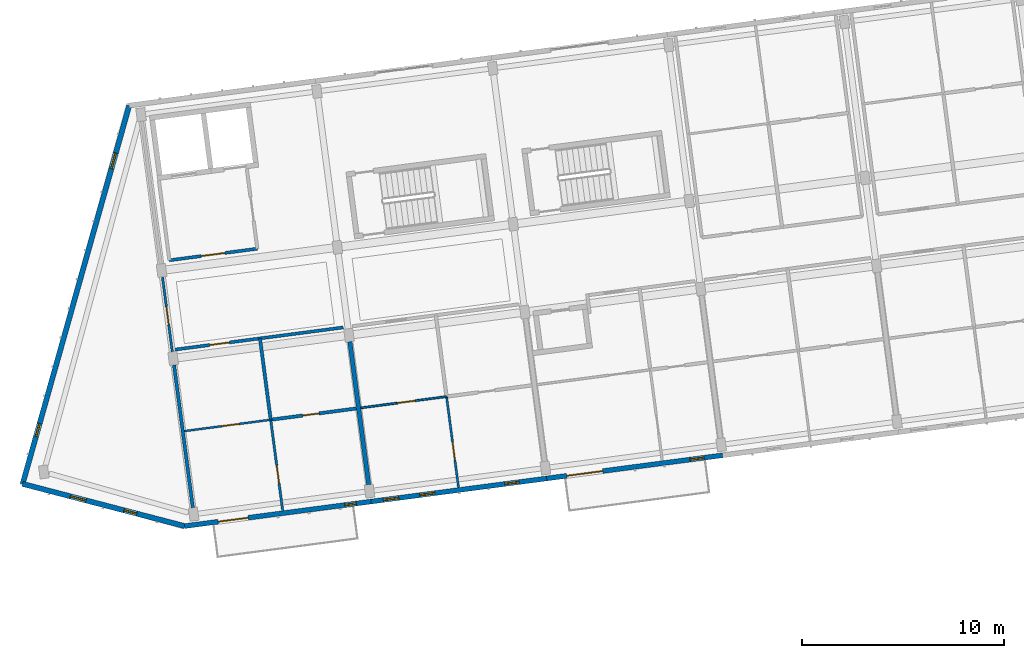
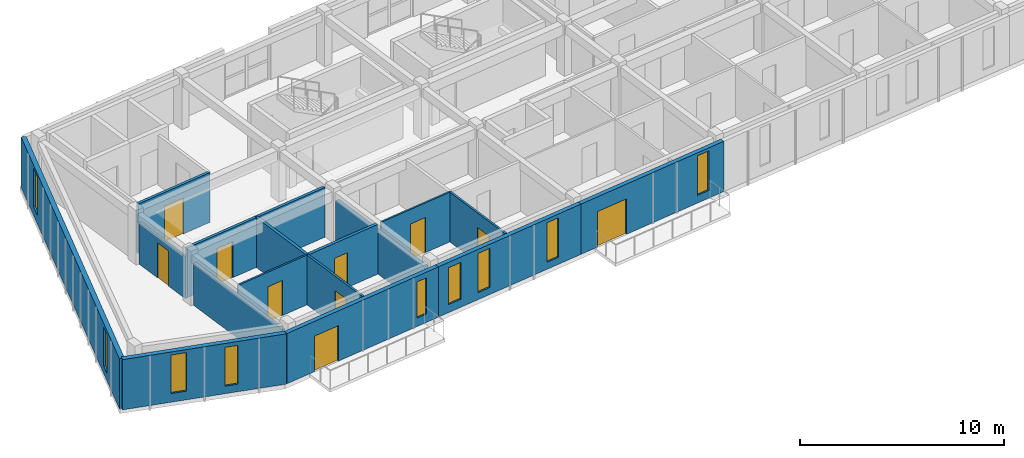
# One storey, part 20 of 56: 16 walls, 10 doors, 9 windows, 19 openings.
"""IFC4 building model written with IfcOpenShell, lengths in metres."""

from ifc_helpers import new_model, si_unit, direction, frame, frame_2d, origin, place, context, subcontext, project, spatial, rectangle, extrude, material, layer, layer_set, type_object, element, fill, save


model = new_model("IFC4")

# Units and contexts
model_context = context("Model", 3, precision=1e-05, world=origin(), true_north=direction((0.0, 1.0)))
body_context = subcontext(model_context, "Body", "Model", "MODEL_VIEW")
ifc_project = project(units=[si_unit("LENGTHUNIT", "METRE"), si_unit("AREAUNIT", "SQUARE_METRE"), si_unit("VOLUMEUNIT", "CUBIC_METRE"), si_unit("PLANEANGLEUNIT", "RADIAN"), si_unit("MASSUNIT", "GRAM", prefix="KILO")], contexts=[model_context])

# Site, building, storey
site_placement = place(None, origin())
site = spatial("IfcSite", under=ifc_project, at=site_placement, CompositionType="ELEMENT")
building_placement = place(site_placement, origin())
building = spatial("IfcBuilding", under=site, at=building_placement, Name="Kestramere Prow Commons", CompositionType="ELEMENT")
storey_placement = place(building_placement, frame((0.0, 0.0, 27.89990234375)))
storey = spatial("IfcBuildingStorey", under=building, at=storey_placement, Name="L08", CompositionType="ELEMENT", Elevation=27.89990234375)

# Wall, openings, windows
ifc_material_1 = material(Name="Weathered Zinc-Titanium Standing-Seam Cladding")
ifc_layer_1 = layer(ifc_material_1, 0.260009765625)
ifc_layer_set_1 = layer_set([ifc_layer_1], Name="Weathered Zinc-Titanium Standing-Seam Cladding")
wall_type_1 = type_object("IfcWallType", Name="EW-PROW-260", PredefinedType="SOLIDWALL", material=ifc_layer_set_1)
wall_1_placement = place(storey_placement, frame((10.748046875, 71.410888671875, 0.0), z_axis=(0.0, 0.0, 1.0), x_axis=(-0.967694955113, 0.252123925577, 0.0)))
wall_1 = element("IfcWall", 1, at=wall_1_placement, inside=storey, type_object=wall_type_1, Name="Block A L08 PRW-S Facet Wall", PredefinedType="SOLIDWALL", context=body_context, shape_type="SweptSolid", body=[
    extrude(rectangle(XDim=8.305419921875, YDim=0.260009765625, at=frame_2d((4.15283203125, 0.0))), origin(), (0.0, 0.0, 1.0), 3.0),
])
opening_1_placement = place(wall_1_placement, frame((2.449951171875, 0.0, 0.449951171875)))
opening_1 = element("IfcOpeningElement", 2, at=opening_1_placement, cuts=wall_1, Name="Opening WN-05", PredefinedType="OPENING", context=body_context, shape_type="SweptSolid", body=[
    extrude(rectangle(XDim=0.659912109375, YDim=2.320068359375, at=frame_2d((0.330078125, 1.16015625))), frame((0.0, 0.14501953125, 0.0), z_axis=(0.0, -1.0, 0.0), x_axis=(1.0, 0.0, 0.0)), (0.0, 0.0, 1.0), 0.2900390625),
])
opening_2_placement = place(wall_1_placement, frame((5.055419921875, 0.0, 0.52001953125)))
opening_2 = element("IfcOpeningElement", 3, at=opening_2_placement, cuts=wall_1, Name="Opening WN-12", PredefinedType="OPENING", context=body_context, shape_type="SweptSolid", body=[
    extrude(rectangle(XDim=0.800048828125, YDim=2.300048828125, at=frame_2d((0.39990234375, 1.14990234375))), frame((0.0, 0.14501953125, 0.0), z_axis=(0.0, -1.0, 0.0), x_axis=(1.0, 0.0, 0.0)), (0.0, 0.0, 1.0), 0.2900390625),
])
ifc_material_2 = material(Name="Low-E Laminated Double Glazing", Category="glass")
window_type_1 = type_object("IfcWindowType", Name="WN-NAR-660A", PartitioningType="SINGLE_PANEL", PredefinedType="WINDOW", material=ifc_material_2)
window_1_placement = place(opening_1_placement, origin())
window_1 = element("IfcWindow", 4, at=window_1_placement, inside=storey, type_object=window_type_1, Name="WN-A-L08-PRW-S-0", OverallHeight=2.320068359375, OverallWidth=0.659912109375, PartitioningType="SINGLE_PANEL", PredefinedType="WINDOW", context=body_context, shape_type="SweptSolid", body=[
    extrude(rectangle(XDim=0.659912109375, YDim=2.320068359375, at=frame_2d((0.330078125, 1.16015625))), frame((0.0, 0.030029296875, 0.0), z_axis=(0.0, -1.0, 0.0), x_axis=(1.0, 0.0, 0.0)), (0.0, 0.0, 1.0), 0.06005859375),
])
fill(opening_1, window_1)
window_type_2 = type_object("IfcWindowType", Name="WN-NAR-800A", PartitioningType="SINGLE_PANEL", PredefinedType="WINDOW", material=ifc_material_2)
window_2_placement = place(opening_2_placement, origin())
window_2 = element("IfcWindow", 5, at=window_2_placement, inside=storey, type_object=window_type_2, Name="WN-A-L08-PRW-S-1", OverallHeight=2.300048828125, OverallWidth=0.800048828125, PartitioningType="SINGLE_PANEL", PredefinedType="WINDOW", context=body_context, shape_type="SweptSolid", body=[
    extrude(rectangle(XDim=0.800048828125, YDim=2.300048828125, at=frame_2d((0.39990234375, 1.14990234375))), frame((0.0, 0.030029296875, 0.0), z_axis=(0.0, -1.0, 0.0), x_axis=(1.0, 0.0, 0.0)), (0.0, 0.0, 1.0), 0.06005859375),
])
fill(opening_2, window_2)

wall_2_placement = place(storey_placement, frame((2.7109375, 73.5048828125, 0.0), z_axis=(0.0, 0.0, 1.0), x_axis=(0.271165263368, 0.962532804606, 0.0)))
wall_2 = element("IfcWall", 6, at=wall_2_placement, inside=storey, type_object=wall_type_1, Name="Block A L08 PRW-N Facet Wall", PredefinedType="SOLIDWALL", context=body_context, shape_type="SweptSolid", body=[
    extrude(rectangle(XDim=19.5068359375, YDim=0.260009765625, at=frame_2d((9.75341796875, 0.0))), origin(), (0.0, 0.0, 1.0), 3.0),
])
opening_3_placement = place(wall_2_placement, frame((2.449951171875, 0.0, 0.449951171875)))
opening_3 = element("IfcOpeningElement", 7, at=opening_3_placement, cuts=wall_2, Name="Opening WN-05", PredefinedType="OPENING", context=body_context, shape_type="SweptSolid", body=[
    extrude(rectangle(XDim=0.659912109375, YDim=2.320068359375, at=frame_2d((0.330078125, 1.16015625))), frame((0.0, 0.14501953125, 0.0), z_axis=(0.0, -1.0, 0.0), x_axis=(1.0, 0.0, 0.0)), (0.0, 0.0, 1.0), 0.2900390625),
])
opening_4_placement = place(wall_2_placement, frame((16.2568359375, 0.0, 0.52001953125)))
opening_4 = element("IfcOpeningElement", 8, at=opening_4_placement, cuts=wall_2, Name="Opening WN-12", PredefinedType="OPENING", context=body_context, shape_type="SweptSolid", body=[
    extrude(rectangle(XDim=0.800048828125, YDim=2.300048828125, at=frame_2d((0.39990234375, 1.14990234375))), frame((0.0, 0.14501953125, 0.0), z_axis=(0.0, -1.0, 0.0), x_axis=(1.0, 0.0, 0.0)), (0.0, 0.0, 1.0), 0.2900390625),
])
window_3_placement = place(opening_3_placement, origin())
window_3 = element("IfcWindow", 9, at=window_3_placement, inside=storey, type_object=window_type_1, Name="WN-A-L08-PRW-N-0", OverallHeight=2.320068359375, OverallWidth=0.659912109375, PartitioningType="SINGLE_PANEL", PredefinedType="WINDOW", context=body_context, shape_type="SweptSolid", body=[
    extrude(rectangle(XDim=0.659912109375, YDim=2.320068359375, at=frame_2d((0.330078125, 1.16015625))), frame((0.0, 0.030029296875, 0.0), z_axis=(0.0, -1.0, 0.0), x_axis=(1.0, 0.0, 0.0)), (0.0, 0.0, 1.0), 0.06005859375),
])
fill(opening_3, window_3)
window_4_placement = place(opening_4_placement, origin())
window_4 = element("IfcWindow", 10, at=window_4_placement, inside=storey, type_object=window_type_2, Name="WN-A-L08-PRW-N-1", OverallHeight=2.300048828125, OverallWidth=0.800048828125, PartitioningType="SINGLE_PANEL", PredefinedType="WINDOW", context=body_context, shape_type="SweptSolid", body=[
    extrude(rectangle(XDim=0.800048828125, YDim=2.300048828125, at=frame_2d((0.39990234375, 1.14990234375))), frame((0.0, 0.030029296875, 0.0), z_axis=(0.0, -1.0, 0.0), x_axis=(1.0, 0.0, 0.0)), (0.0, 0.0, 1.0), 0.06005859375),
])
fill(opening_4, window_4)

# Wall, openings, door, window
ifc_material_3 = material(Name="Fluoropolymer Standing-Seam Zinc-Aluminium Cladding", Category="aluminium")
ifc_layer_2 = layer(ifc_material_3, 0.239990234375)
ifc_layer_set_2 = layer_set([ifc_layer_2], Name="Fluoropolymer Standing-Seam Zinc-Aluminium Cladding")
wall_type_2 = type_object("IfcWallType", Name="EW-SEAM-240", PredefinedType="SOLIDWALL", material=ifc_layer_set_2)
wall_3_placement = place(storey_placement, frame((19.9931640625, 72.628173828125, 0.0), z_axis=(0.0, 0.0, 1.0), x_axis=(-0.991442885224, -0.130541201693, 0.0)))
wall_3 = element("IfcWall", 11, at=wall_3_placement, inside=storey, type_object=wall_type_2, Name="Block A L08 South Standing-Seam Wall 1", PredefinedType="SOLIDWALL", context=body_context, shape_type="SweptSolid", body=[
    extrude(rectangle(XDim=9.324951171875, YDim=0.239990234375, at=frame_2d((4.66259765625, 0.0))), origin(), (0.0, 0.0, 1.0), 3.0),
])
opening_5_placement = place(wall_3_placement, frame((6.14697265625, 0.0, 0.0)))
opening_5 = element("IfcOpeningElement", 12, at=opening_5_placement, cuts=wall_3, Name="Opening GD-BAL-01", PredefinedType="OPENING", context=body_context, shape_type="SweptSolid", body=[
    extrude(rectangle(XDim=1.5, YDim=2.1201171875, at=frame_2d((0.75, 1.06005859375))), frame((0.0, 0.135009765625, 0.0), z_axis=(0.0, -1.0, 0.0), x_axis=(1.0, 0.0, 0.0)), (0.0, 0.0, 1.0), 0.27001953125),
])
opening_6_placement = place(wall_3_placement, frame((0.72998046875, 0.0, 0.5)))
opening_6 = element("IfcOpeningElement", 13, at=opening_6_placement, cuts=wall_3, Name="Opening WN-01", PredefinedType="OPENING", context=body_context, shape_type="SweptSolid", body=[
    extrude(rectangle(XDim=0.580078125, YDim=2.159912109375, at=frame_2d((0.2900390625, 1.080078125))), frame((0.0, 0.135009765625, 0.0), z_axis=(0.0, -1.0, 0.0), x_axis=(1.0, 0.0, 0.0)), (0.0, 0.0, 1.0), 0.27001953125),
])
ifc_material_4 = material(Name="Thermally-Broken Anodised Aluminium Glazed", Category="aluminium")
door_type_1 = type_object("IfcDoorType", Name="GD-BAL-1500", OperationType="SLIDING_TO_RIGHT", PredefinedType="DOOR", material=ifc_material_4)
door_1_placement = place(opening_5_placement, origin())
door_1 = element("IfcDoor", 14, at=door_1_placement, inside=storey, type_object=door_type_1, Name="Block A L08 Balcony Door 1", OperationType="SLIDING_TO_RIGHT", OverallHeight=2.1201171875, OverallWidth=1.5, PredefinedType="DOOR", context=body_context, shape_type="SweptSolid", body=[
    extrude(rectangle(XDim=1.5, YDim=2.1201171875, at=frame_2d((0.75, 1.06005859375))), frame((0.0, 0.02490234375, 0.0), z_axis=(0.0, -1.0, 0.0), x_axis=(1.0, 0.0, 0.0)), (0.0, 0.0, 1.0), 0.050048828125),
])
fill(opening_5, door_1)
window_type_3 = type_object("IfcWindowType", Name="WN-NAR-580A", PartitioningType="SINGLE_PANEL", PredefinedType="WINDOW", material=ifc_material_2)
window_5_placement = place(opening_6_placement, origin())
window_5 = element("IfcWindow", 15, at=window_5_placement, inside=storey, type_object=window_type_3, Name="WN-A-L08-SR-0", OverallHeight=2.159912109375, OverallWidth=0.580078125, PartitioningType="SINGLE_PANEL", PredefinedType="WINDOW", context=body_context, shape_type="SweptSolid", body=[
    extrude(rectangle(XDim=0.580078125, YDim=2.159912109375, at=frame_2d((0.2900390625, 1.080078125))), frame((0.0, 0.030029296875, 0.0), z_axis=(0.0, -1.0, 0.0), x_axis=(1.0, 0.0, 0.0)), (0.0, 0.0, 1.0), 0.06005859375),
])
fill(opening_6, window_5)

# Wall, openings, windows
wall_4_placement = place(storey_placement, frame((28.718017578125, 73.77685546875, 0.0), z_axis=(0.0, 0.0, 1.0), x_axis=(-0.991444377792, -0.130529865336, 0.0)))
wall_4 = element("IfcWall", 16, at=wall_4_placement, inside=storey, type_object=wall_type_2, Name="Block A L08 South Standing-Seam Wall 2", PredefinedType="SOLIDWALL", context=body_context, shape_type="SweptSolid", body=[
    extrude(rectangle(XDim=8.800048828125, YDim=0.239990234375, at=frame_2d((4.39990234375, 0.0))), origin(), (0.0, 0.0, 1.0), 3.0),
])
opening_7_placement = place(wall_4_placement, frame((1.392578125, 0.0, 0.419921875)))
opening_7 = element("IfcOpeningElement", 17, at=opening_7_placement, cuts=wall_4, Name="Opening WN-07", PredefinedType="OPENING", context=body_context, shape_type="SweptSolid", body=[
    extrude(rectangle(XDim=0.699951171875, YDim=2.360107421875, at=frame_2d((0.35009765625, 1.18017578125))), frame((0.0, 0.135009765625, 0.0), z_axis=(0.0, -1.0, 0.0), x_axis=(1.0, 0.0, 0.0)), (0.0, 0.0, 1.0), 0.27001953125),
])
opening_8_placement = place(wall_4_placement, frame((5.60400390625, 0.0, 0.419921875)))
opening_8 = element("IfcOpeningElement", 18, at=opening_8_placement, cuts=wall_4, Name="Opening WN-10", PredefinedType="OPENING", context=body_context, shape_type="SweptSolid", body=[
    extrude(rectangle(XDim=0.760009765625, YDim=2.340087890625, at=frame_2d((0.3798828125, 1.169921875))), frame((0.0, 0.135009765625, 0.0), z_axis=(0.0, -1.0, 0.0), x_axis=(1.0, 0.0, 0.0)), (0.0, 0.0, 1.0), 0.27001953125),
])
opening_9_placement = place(wall_4_placement, frame((7.409912109375, 0.0, 0.47998046875)))
opening_9 = element("IfcOpeningElement", 19, at=opening_9_placement, cuts=wall_4, Name="Opening WN-11", PredefinedType="OPENING", context=body_context, shape_type="SweptSolid", body=[
    extrude(rectangle(XDim=0.780029296875, YDim=2.199951171875, at=frame_2d((0.39013671875, 1.10009765625))), frame((0.0, 0.135009765625, 0.0), z_axis=(0.0, -1.0, 0.0), x_axis=(1.0, 0.0, 0.0)), (0.0, 0.0, 1.0), 0.27001953125),
])
window_type_4 = type_object("IfcWindowType", Name="WN-NAR-700A", PartitioningType="SINGLE_PANEL", PredefinedType="WINDOW", material=ifc_material_2)
window_6_placement = place(opening_7_placement, origin())
window_6 = element("IfcWindow", 20, at=window_6_placement, inside=storey, type_object=window_type_4, Name="WN-A-L08-S-1-00", OverallHeight=2.360107421875, OverallWidth=0.699951171875, PartitioningType="SINGLE_PANEL", PredefinedType="WINDOW", context=body_context, shape_type="SweptSolid", body=[
    extrude(rectangle(XDim=0.699951171875, YDim=2.360107421875, at=frame_2d((0.35009765625, 1.18017578125))), frame((0.0, 0.030029296875, 0.0), z_axis=(0.0, -1.0, 0.0), x_axis=(1.0, 0.0, 0.0)), (0.0, 0.0, 1.0), 0.06005859375),
])
fill(opening_7, window_6)
window_type_5 = type_object("IfcWindowType", Name="WN-NAR-760A", PartitioningType="SINGLE_PANEL", PredefinedType="WINDOW", material=ifc_material_2)
window_7_placement = place(opening_8_placement, origin())
window_7 = element("IfcWindow", 21, at=window_7_placement, inside=storey, type_object=window_type_5, Name="WN-A-L08-S-1-10", OverallHeight=2.340087890625, OverallWidth=0.760009765625, PartitioningType="SINGLE_PANEL", PredefinedType="WINDOW", context=body_context, shape_type="SweptSolid", body=[
    extrude(rectangle(XDim=0.760009765625, YDim=2.340087890625, at=frame_2d((0.3798828125, 1.169921875))), frame((0.0, 0.030029296875, 0.0), z_axis=(0.0, -1.0, 0.0), x_axis=(1.0, 0.0, 0.0)), (0.0, 0.0, 1.0), 0.06005859375),
])
fill(opening_8, window_7)
window_type_6 = type_object("IfcWindowType", Name="WN-NAR-780A", PartitioningType="SINGLE_PANEL", PredefinedType="WINDOW", material=ifc_material_2)
window_8_placement = place(opening_9_placement, origin())
window_8 = element("IfcWindow", 22, at=window_8_placement, inside=storey, type_object=window_type_6, Name="WN-A-L08-S-1-11", OverallHeight=2.199951171875, OverallWidth=0.780029296875, PartitioningType="SINGLE_PANEL", PredefinedType="WINDOW", context=body_context, shape_type="SweptSolid", body=[
    extrude(rectangle(XDim=0.780029296875, YDim=2.199951171875, at=frame_2d((0.39013671875, 1.10009765625))), frame((0.0, 0.030029296875, 0.0), z_axis=(0.0, -1.0, 0.0), x_axis=(1.0, 0.0, 0.0)), (0.0, 0.0, 1.0), 0.06005859375),
])
fill(opening_9, window_8)

# Wall, openings, door, window
wall_5_placement = place(storey_placement, frame((37.442626953125, 74.92529296875, 0.0), z_axis=(0.0, 0.0, 1.0), x_axis=(-0.991447495205, -0.130506184728, 0.0)))
wall_5 = element("IfcWall", 23, at=wall_5_placement, inside=storey, type_object=wall_type_2, Name="Block A L08 South Standing-Seam Wall 3", PredefinedType="SOLIDWALL", context=body_context, shape_type="SweptSolid", body=[
    extrude(rectangle(XDim=8.7998046875, YDim=0.239990234375, at=frame_2d((4.39990234375, 0.0))), origin(), (0.0, 0.0, 1.0), 3.0),
])
opening_10_placement = place(wall_5_placement, frame((5.9970703125, 0.0, 0.0)))
opening_10 = element("IfcOpeningElement", 24, at=opening_10_placement, cuts=wall_5, Name="Opening GD-BAL-02", PredefinedType="OPENING", context=body_context, shape_type="SweptSolid", body=[
    extrude(rectangle(XDim=1.800048828125, YDim=2.1201171875, at=frame_2d((0.89990234375, 1.06005859375))), frame((0.0, 0.135009765625, 0.0), z_axis=(0.0, -1.0, 0.0), x_axis=(1.0, 0.0, 0.0)), (0.0, 0.0, 1.0), 0.27001953125),
])
opening_11_placement = place(wall_5_placement, frame((0.929931640625, 0.0, 0.4599609375)))
opening_11 = element("IfcOpeningElement", 25, at=opening_11_placement, cuts=wall_5, Name="Opening WN-07", PredefinedType="OPENING", context=body_context, shape_type="SweptSolid", body=[
    extrude(rectangle(XDim=0.699951171875, YDim=2.360107421875, at=frame_2d((0.35009765625, 1.18017578125))), frame((0.0, 0.135009765625, 0.0), z_axis=(0.0, -1.0, 0.0), x_axis=(1.0, 0.0, 0.0)), (0.0, 0.0, 1.0), 0.27001953125),
])
door_type_2 = type_object("IfcDoorType", Name="GD-BAL-1800", OperationType="SLIDING_TO_LEFT", PredefinedType="DOOR", material=ifc_material_4)
door_2_placement = place(opening_10_placement, origin())
door_2 = element("IfcDoor", 26, at=door_2_placement, inside=storey, type_object=door_type_2, Name="Block A L08 Balcony Door 3", OperationType="SLIDING_TO_LEFT", OverallHeight=2.1201171875, OverallWidth=1.800048828125, PredefinedType="DOOR", context=body_context, shape_type="SweptSolid", body=[
    extrude(rectangle(XDim=1.800048828125, YDim=2.1201171875, at=frame_2d((0.89990234375, 1.06005859375))), frame((0.0, 0.02490234375, 0.0), z_axis=(0.0, -1.0, 0.0), x_axis=(1.0, 0.0, 0.0)), (0.0, 0.0, 1.0), 0.050048828125),
])
fill(opening_10, door_2)
window_9_placement = place(opening_11_placement, origin())
window_9 = element("IfcWindow", 27, at=window_9_placement, inside=storey, type_object=window_type_4, Name="WN-A-L08-SR-2", OverallHeight=2.360107421875, OverallWidth=0.699951171875, PartitioningType="SINGLE_PANEL", PredefinedType="WINDOW", context=body_context, shape_type="SweptSolid", body=[
    extrude(rectangle(XDim=0.699951171875, YDim=2.360107421875, at=frame_2d((0.35009765625, 1.18017578125))), frame((0.0, 0.030029296875, 0.0), z_axis=(0.0, -1.0, 0.0), x_axis=(1.0, 0.0, 0.0)), (0.0, 0.0, 1.0), 0.06005859375),
])
fill(opening_11, window_9)

# Wall, opening, door
ifc_material_5 = material(Name="Fire-Rated Calcium Silicate Wall")
ifc_layer_3 = layer(ifc_material_5, 0.155029296875)
ifc_layer_set_3 = layer_set([ifc_layer_3], Name="Fire-Rated Calcium Silicate Wall")
wall_type_3 = type_object("IfcWallType", Name="W-FIRE-150", PredefinedType="PARTITIONING", material=ifc_layer_set_3)
wall_6_placement = place(storey_placement, frame((9.994873046875, 84.6005859375, 0.0), z_axis=(0.0, 0.0, 1.0), x_axis=(0.991448440179, 0.130499005613, 0.0)))
wall_6 = element("IfcWall", 28, at=wall_6_placement, inside=storey, type_object=wall_type_3, Name="Interior Partition PW-A-L08-FFL-S", PredefinedType="PARTITIONING", context=body_context, shape_type="SweptSolid", body=[
    extrude(rectangle(XDim=4.400146484375, YDim=0.155029296875, at=frame_2d((2.2001953125, 0.0))), origin(), (0.0, 0.0, 1.0), 2.97021484375),
])
opening_12_placement = place(wall_6_placement, frame((1.60009765625, 0.0, 0.0)))
opening_12 = element("IfcOpeningElement", 29, at=opening_12_placement, cuts=wall_6, Name="Opening ID-03", PredefinedType="OPENING", context=body_context, shape_type="SweptSolid", body=[
    extrude(rectangle(XDim=1.179931640625, YDim=2.14990234375, at=frame_2d((0.58984375, 1.074951171875))), frame((0.0, 0.092529296875, 0.0), z_axis=(0.0, -1.0, 0.0), x_axis=(1.0, 0.0, 0.0)), (0.0, 0.0, 1.0), 0.18505859375),
])
ifc_material_6 = material(Name="Fire-Rated Glazed Smoke-Stop Door")
door_type_3 = type_object("IfcDoorType", Name="FD-LB-01", OperationType="NOTDEFINED", PredefinedType="DOOR", material=ifc_material_6)
door_3_placement = place(opening_12_placement, origin())
door_3 = element("IfcDoor", 30, at=door_3_placement, inside=storey, type_object=door_type_3, Name="Interior Door DR-A-L08-FFL", OperationType="SINGLE_SWING_LEFT", OverallHeight=2.14990234375, OverallWidth=1.179931640625, PredefinedType="DOOR", context=body_context, shape_type="SweptSolid", body=[
    extrude(rectangle(XDim=1.179931640625, YDim=2.14990234375, at=frame_2d((0.58984375, 1.074951171875))), frame((0.0, 0.02490234375, 0.0), z_axis=(0.0, -1.0, 0.0), x_axis=(1.0, 0.0, 0.0)), (0.0, 0.0, 1.0), 0.050048828125),
])
fill(opening_12, door_3)

wall_7_placement = place(storey_placement, frame((10.196533203125, 80.158935546875, 0.0), z_axis=(0.0, 0.0, 1.0), x_axis=(0.991447642549, 0.130505065361, 0.0)))
wall_7 = element("IfcWall", 31, at=wall_7_placement, inside=storey, type_object=wall_type_3, Name="Interior Partition PW-A-L08-CS-0", PredefinedType="PARTITIONING", context=body_context, shape_type="SweptSolid", body=[
    extrude(rectangle(XDim=8.4951171875, YDim=0.155029296875, at=frame_2d((4.24755859375, 0.0))), origin(), (0.0, 0.0, 1.0), 2.97021484375),
])
opening_13_placement = place(wall_7_placement, frame((1.820068359375, 0.0, 0.0)))
opening_13 = element("IfcOpeningElement", 32, at=opening_13_placement, cuts=wall_7, Name="Opening ID-04", PredefinedType="OPENING", context=body_context, shape_type="SweptSolid", body=[
    extrude(rectangle(XDim=0.97998046875, YDim=2.14990234375, at=frame_2d((0.489990234375, 1.074951171875))), frame((0.0, 0.092529296875, 0.0), z_axis=(0.0, -1.0, 0.0), x_axis=(1.0, 0.0, 0.0)), (0.0, 0.0, 1.0), 0.18505859375),
])
ifc_material_7 = material(Name="Hardwood Fire-Rated Flat Entrance Door", Category="wood")
door_type_4 = type_object("IfcDoorType", Name="FD-ENT-01", OperationType="NOTDEFINED", PredefinedType="DOOR", material=ifc_material_7)
door_4_placement = place(opening_13_placement, origin())
door_4 = element("IfcDoor", 33, at=door_4_placement, inside=storey, type_object=door_type_4, Name="Interior Door DR-A-L08-ENT-S0", OperationType="SINGLE_SWING_LEFT", OverallHeight=2.14990234375, OverallWidth=0.97998046875, PredefinedType="DOOR", context=body_context, shape_type="SweptSolid", body=[
    extrude(rectangle(XDim=0.97998046875, YDim=2.14990234375, at=frame_2d((0.489990234375, 1.074951171875))), frame((0.0, 0.02490234375, 0.0), z_axis=(0.0, -1.0, 0.0), x_axis=(1.0, 0.0, 0.0)), (0.0, 0.0, 1.0), 0.050048828125),
])
fill(opening_13, door_4)

ifc_material_8 = material(Name="Gypsum Acoustic Drywall")
ifc_layer_4 = layer(ifc_material_8, 0.10009765625)
ifc_layer_set_4 = layer_set([ifc_layer_4], Name="Gypsum Acoustic Drywall")
wall_type_4 = type_object("IfcWallType", Name="W-PART-100", PredefinedType="PARTITIONING", material=ifc_layer_set_4)
wall_8_placement = place(storey_placement, frame((10.74755859375, 76.126220703125, 0.0), z_axis=(0.0, 0.0, 1.0), x_axis=(0.991447160489, 0.130508727519, 0.0)))
wall_8 = element("IfcWall", 34, at=wall_8_placement, inside=storey, type_object=wall_type_4, Name="Interior Partition PW-A-L08-MIDS1-0", PredefinedType="PARTITIONING", context=body_context, shape_type="SweptSolid", body=[
    extrude(rectangle(XDim=4.31005859375, YDim=0.10009765625, at=frame_2d((2.155029296875, 0.0))), origin(), (0.0, 0.0, 1.0), 2.97021484375),
])
opening_14_placement = place(wall_8_placement, frame((1.85009765625, 0.0, 0.0)))
opening_14 = element("IfcOpeningElement", 35, at=opening_14_placement, cuts=wall_8, Name="Opening ID-10", PredefinedType="OPENING", context=body_context, shape_type="SweptSolid", body=[
    extrude(rectangle(XDim=0.8798828125, YDim=2.10009765625, at=frame_2d((0.43994140625, 1.050048828125))), frame((0.0, 0.06494140625, 0.0), z_axis=(0.0, -1.0, 0.0), x_axis=(1.0, 0.0, 0.0)), (0.0, 0.0, 1.0), 0.130126953125),
])
ifc_material_9 = material(Name="Engineered Timber Bedroom Door", Category="wood")
door_type_5 = type_object("IfcDoorType", Name="D-RM-03", OperationType="NOTDEFINED", PredefinedType="DOOR", material=ifc_material_9)
door_5_placement = place(opening_14_placement, origin())
door_5 = element("IfcDoor", 36, at=door_5_placement, inside=storey, type_object=door_type_5, Name="Interior Door DR-A-L08-KL-S0", OperationType="SINGLE_SWING_RIGHT", OverallHeight=2.10009765625, OverallWidth=0.8798828125, PredefinedType="DOOR", context=body_context, shape_type="SweptSolid", body=[
    extrude(rectangle(XDim=0.8798828125, YDim=2.10009765625, at=frame_2d((0.43994140625, 1.050048828125))), frame((0.0, 0.02490234375, 0.0), z_axis=(0.0, -1.0, 0.0), x_axis=(1.0, 0.0, 0.0)), (0.0, 0.0, 1.0), 0.050048828125),
])
fill(opening_14, door_5)

ifc_layer_5 = layer(ifc_material_8, 0.110107421875)
ifc_layer_set_5 = layer_set([ifc_layer_5], Name="Gypsum Acoustic Drywall")
wall_type_5 = type_object("IfcWallType", Name="W-PART-110", PredefinedType="PARTITIONING", material=ifc_layer_set_5)
wall_9_placement = place(storey_placement, frame((24.337890625, 73.336181640625, 0.0), z_axis=(0.0, 0.0, 1.0), x_axis=(-0.130511545171, 0.991446789584, 0.0)))
wall_9 = element("IfcWall", 37, at=wall_9_placement, inside=storey, type_object=wall_type_5, Name="Interior Partition PW-A-L08-LB-S1", PredefinedType="PARTITIONING", context=body_context, shape_type="SweptSolid", body=[
    extrude(rectangle(XDim=4.5400390625, YDim=0.110107421875, at=frame_2d((2.27001953125, 0.0))), origin(), (0.0, 0.0, 1.0), 2.97021484375),
])
opening_15_placement = place(wall_9_placement, frame((1.35009765625, 0.0, 0.0)))
opening_15 = element("IfcOpeningElement", 38, at=opening_15_placement, cuts=wall_9, Name="Opening ID-08", PredefinedType="OPENING", context=body_context, shape_type="SweptSolid", body=[
    extrude(rectangle(XDim=0.89990234375, YDim=2.10009765625, at=frame_2d((0.449951171875, 1.050048828125))), frame((0.0, 0.070068359375, 0.0), z_axis=(0.0, -1.0, 0.0), x_axis=(1.0, 0.0, 0.0)), (0.0, 0.0, 1.0), 0.14013671875),
])
ifc_material_10 = material(Name="Engineered Timber Flush Door", Category="wood")
door_type_6 = type_object("IfcDoorType", Name="D-RM-01", OperationType="NOTDEFINED", PredefinedType="DOOR", material=ifc_material_10)
door_6_placement = place(opening_15_placement, origin())
door_6 = element("IfcDoor", 39, at=door_6_placement, inside=storey, type_object=door_type_6, Name="Interior Door DR-A-L08-BED-S1", OperationType="SINGLE_SWING_RIGHT", OverallHeight=2.10009765625, OverallWidth=0.89990234375, PredefinedType="DOOR", context=body_context, shape_type="SweptSolid", body=[
    extrude(rectangle(XDim=0.89990234375, YDim=2.10009765625, at=frame_2d((0.449951171875, 1.050048828125))), frame((0.0, 0.02490234375, 0.0), z_axis=(0.0, -1.0, 0.0), x_axis=(1.0, 0.0, 0.0)), (0.0, 0.0, 1.0), 0.050048828125),
])
fill(opening_15, door_6)

ifc_material_11 = material(Name="Lightweight Blockwork and Plaster", Category="masonry")
ifc_layer_6 = layer(ifc_material_11, 0.1201171875)
ifc_layer_set_6 = layer_set([ifc_layer_6], Name="Lightweight Blockwork and Plaster")
wall_type_6 = type_object("IfcWallType", Name="W-PART-120", PredefinedType="PARTITIONING", material=ifc_layer_set_6)
wall_10_placement = place(storey_placement, frame((10.13818359375, 80.0654296875, 0.0), z_axis=(0.0, 0.0, 1.0), x_axis=(-0.130517160134, 0.991446050429, 0.0)))
wall_10 = element("IfcWall", 40, at=wall_10_placement, inside=storey, type_object=wall_type_6, Name="Interior Partition PW-A-L08-PROW-ACC", PredefinedType="PARTITIONING", context=body_context, shape_type="SweptSolid", body=[
    extrude(rectangle(XDim=3.72998046875, YDim=0.1201171875, at=frame_2d((1.864990234375, 0.0))), origin(), (0.0, 0.0, 1.0), 2.5),
])
opening_16_placement = place(wall_10_placement, frame((1.35009765625, 0.0, 0.0)))
opening_16 = element("IfcOpeningElement", 41, at=opening_16_placement, cuts=wall_10, Name="Opening ID-08", PredefinedType="OPENING", context=body_context, shape_type="SweptSolid", body=[
    extrude(rectangle(XDim=0.89990234375, YDim=2.10009765625, at=frame_2d((0.449951171875, 1.050048828125))), frame((0.0, 0.074951171875, 0.0), z_axis=(0.0, -1.0, 0.0), x_axis=(1.0, 0.0, 0.0)), (0.0, 0.0, 1.0), 0.150146484375),
])
door_7_placement = place(opening_16_placement, origin())
door_7 = element("IfcDoor", 42, at=door_7_placement, inside=storey, type_object=door_type_6, Name="Interior Door DR-A-L08-PROW", OperationType="SINGLE_SWING_LEFT", OverallHeight=2.10009765625, OverallWidth=0.89990234375, PredefinedType="DOOR", context=body_context, shape_type="SweptSolid", body=[
    extrude(rectangle(XDim=0.89990234375, YDim=2.10009765625, at=frame_2d((0.449951171875, 1.050048828125))), frame((0.0, 0.02490234375, 0.0), z_axis=(0.0, -1.0, 0.0), x_axis=(1.0, 0.0, 0.0)), (0.0, 0.0, 1.0), 0.050048828125),
])
fill(opening_16, door_7)

wall_11_placement = place(storey_placement, frame((15.61328125, 72.187744140625, 0.0), z_axis=(0.0, 0.0, 1.0), x_axis=(-0.130518503748, 0.99144587355, 0.0)))
wall_11 = element("IfcWall", 43, at=wall_11_placement, inside=storey, type_object=wall_type_6, Name="Interior Partition PW-A-L08-LB-S0", PredefinedType="PARTITIONING", context=body_context, shape_type="SweptSolid", body=[
    extrude(rectangle(XDim=4.539794921875, YDim=0.1201171875, at=frame_2d((2.27001953125, 0.0))), origin(), (0.0, 0.0, 1.0), 2.97021484375),
])
opening_17_placement = place(wall_11_placement, frame((1.35009765625, 0.0, 0.0)))
opening_17 = element("IfcOpeningElement", 44, at=opening_17_placement, cuts=wall_11, Name="Opening ID-08", PredefinedType="OPENING", context=body_context, shape_type="SweptSolid", body=[
    extrude(rectangle(XDim=0.89990234375, YDim=2.10009765625, at=frame_2d((0.449951171875, 1.050048828125))), frame((0.0, 0.074951171875, 0.0), z_axis=(0.0, -1.0, 0.0), x_axis=(1.0, 0.0, 0.0)), (0.0, 0.0, 1.0), 0.150146484375),
])
door_8_placement = place(opening_17_placement, origin())
door_8 = element("IfcDoor", 45, at=door_8_placement, inside=storey, type_object=door_type_6, Name="Interior Door DR-A-L08-BED-S0", OperationType="SINGLE_SWING_LEFT", OverallHeight=2.10009765625, OverallWidth=0.89990234375, PredefinedType="DOOR", context=body_context, shape_type="SweptSolid", body=[
    extrude(rectangle(XDim=0.89990234375, YDim=2.10009765625, at=frame_2d((0.449951171875, 1.050048828125))), frame((0.0, 0.02490234375, 0.0), z_axis=(0.0, -1.0, 0.0), x_axis=(1.0, 0.0, 0.0)), (0.0, 0.0, 1.0), 0.050048828125),
])
fill(opening_17, door_8)

ifc_layer_7 = layer(ifc_material_8, 0.094970703125)
ifc_layer_set_7 = layer_set([ifc_layer_7], Name="Gypsum Acoustic Drywall")
wall_type_7 = type_object("IfcWallType", Name="W-PART-95", PredefinedType="PARTITIONING", material=ifc_layer_set_7)
wall_12_placement = place(storey_placement, frame((19.4970703125, 77.278076171875, 0.0), z_axis=(0.0, 0.0, 1.0), x_axis=(0.991444014242, 0.130532626667, 0.0)))
wall_12 = element("IfcWall", 46, at=wall_12_placement, inside=storey, type_object=wall_type_7, Name="Interior Partition PW-A-L08-MIDS1-1", PredefinedType="PARTITIONING", context=body_context, shape_type="SweptSolid", body=[
    extrude(rectangle(XDim=4.284912109375, YDim=0.094970703125, at=frame_2d((2.142578125, 0.0))), origin(), (0.0, 0.0, 1.0), 2.97021484375),
])
opening_18_placement = place(wall_12_placement, frame((1.824951171875, 0.0, 0.0)))
opening_18 = element("IfcOpeningElement", 47, at=opening_18_placement, cuts=wall_12, Name="Opening ID-08", PredefinedType="OPENING", context=body_context, shape_type="SweptSolid", body=[
    extrude(rectangle(XDim=0.89990234375, YDim=2.10009765625, at=frame_2d((0.449951171875, 1.050048828125))), frame((0.0, 0.0625, 0.0), z_axis=(0.0, -1.0, 0.0), x_axis=(1.0, 0.0, 0.0)), (0.0, 0.0, 1.0), 0.125),
])
door_9_placement = place(opening_18_placement, origin())
door_9 = element("IfcDoor", 48, at=door_9_placement, inside=storey, type_object=door_type_6, Name="Interior Door DR-A-L08-KL-S1", OperationType="SINGLE_SWING_RIGHT", OverallHeight=2.10009765625, OverallWidth=0.89990234375, PredefinedType="DOOR", context=body_context, shape_type="SweptSolid", body=[
    extrude(rectangle(XDim=0.89990234375, YDim=2.10009765625, at=frame_2d((0.449951171875, 1.050048828125))), frame((0.0, 0.02490234375, 0.0), z_axis=(0.0, -1.0, 0.0), x_axis=(1.0, 0.0, 0.0)), (0.0, 0.0, 1.0), 0.050048828125),
])
fill(opening_18, door_9)

# Wall
ifc_material_12 = material(Name="Waterproof Sanitary Masonry Wall", Category="masonry")
ifc_layer_8 = layer(ifc_material_12, 0.1650390625)
ifc_layer_set_8 = layer_set([ifc_layer_8], Name="Waterproof Sanitary Masonry Wall")
wall_type_8 = type_object("IfcWallType", Name="W-PLUMB-150", PredefinedType="PLUMBINGWALL", material=ifc_layer_set_8)
wall_13_placement = place(storey_placement, frame((11.15625, 72.33203125, 0.0), z_axis=(0.0, 0.0, 1.0), x_axis=(-0.130526257258, 0.991444852811, 0.0)))
element("IfcWall", 49, at=wall_13_placement, inside=storey, type_object=wall_type_8, Name="Interior Partition PW-A-L08-PRWW-S", PredefinedType="PLUMBINGWALL", context=body_context, shape_type="SweptSolid", body=[
    extrude(rectangle(XDim=7.130126953125, YDim=0.1650390625, at=frame_2d((3.56494140625, 0.0))), origin(), (0.0, 0.0, 1.0), 2.5),
])

# Wall, opening, door
wall_14_placement = place(storey_placement, frame((15.020751953125, 76.688720703125, 0.0), z_axis=(0.0, 0.0, 1.0), x_axis=(0.991444014242, 0.130532626667, 0.0)))
wall_14 = element("IfcWall", 50, at=wall_14_placement, inside=storey, type_object=wall_type_8, Name="Interior Partition PW-A-L08-MIDS2-0", PredefinedType="PLUMBINGWALL", context=body_context, shape_type="SweptSolid", body=[
    extrude(rectangle(XDim=4.284912109375, YDim=0.1650390625, at=frame_2d((2.142578125, 0.0))), origin(), (0.0, 0.0, 1.0), 2.97021484375),
])
opening_19_placement = place(wall_14_placement, frame((1.60009765625, 0.0, 0.0)))
opening_19 = element("IfcOpeningElement", 51, at=opening_19_placement, cuts=wall_14, Name="Opening ID-11", PredefinedType="OPENING", context=body_context, shape_type="SweptSolid", body=[
    extrude(rectangle(XDim=0.820068359375, YDim=2.080078125, at=frame_2d((0.41015625, 1.0400390625))), frame((0.0, 0.097412109375, 0.0), z_axis=(0.0, -1.0, 0.0), x_axis=(1.0, 0.0, 0.0)), (0.0, 0.0, 1.0), 0.195068359375),
])
ifc_material_13 = material(Name="Moisture-Resistant Timber Bathroom Door", Category="wood")
door_type_7 = type_object("IfcDoorType", Name="D-BT-01", OperationType="NOTDEFINED", PredefinedType="DOOR", material=ifc_material_13)
door_10_placement = place(opening_19_placement, origin())
door_10 = element("IfcDoor", 52, at=door_10_placement, inside=storey, type_object=door_type_7, Name="Interior Door DR-A-L08-BTH-S0", OperationType="SINGLE_SWING_LEFT", OverallHeight=2.080078125, OverallWidth=0.820068359375, PredefinedType="DOOR", context=body_context, shape_type="SweptSolid", body=[
    extrude(rectangle(XDim=0.820068359375, YDim=2.080078125, at=frame_2d((0.41015625, 1.0400390625))), frame((0.0, 0.02490234375, 0.0), z_axis=(0.0, -1.0, 0.0), x_axis=(1.0, 0.0, 0.0)), (0.0, 0.0, 1.0), 0.050048828125),
])
fill(opening_19, door_10)

# Walls
wall_15_placement = place(storey_placement, frame((15.020751953125, 76.688720703125, 0.0), z_axis=(0.0, 0.0, 1.0), x_axis=(-0.13052899417, 0.991444492486, 0.0)))
element("IfcWall", 53, at=wall_15_placement, inside=storey, type_object=wall_type_8, Name="Interior Partition PW-A-L08-KB-S0", PredefinedType="PLUMBINGWALL", context=body_context, shape_type="SweptSolid", body=[
    extrude(rectangle(XDim=4.070068359375, YDim=0.1650390625, at=frame_2d((2.03515625, 0.0))), origin(), (0.0, 0.0, 1.0), 2.97021484375),
])
ifc_material_14 = material(Name="Precast concrete C40/50", Category="concrete")
ifc_layer_9 = layer(ifc_material_14, 0.219970703125)
ifc_layer_set_9 = layer_set([ifc_layer_9], Name="Precast concrete C40/50")
wall_type_9 = type_object("IfcWallType", Name="W-XWALL-220", PredefinedType="SHEAR", material=ifc_layer_set_9)
wall_16_placement = place(storey_placement, frame((19.88232421875, 73.470947265625, 0.0), z_axis=(0.0, 0.0, 1.0), x_axis=(-0.130541958643, 0.991442785557, 0.0)))
element("IfcWall", 54, at=wall_16_placement, inside=storey, type_object=wall_type_9, Name="Block A L08 Precast Cross-Wall 1", PredefinedType="SHEAR", context=body_context, shape_type="SweptSolid", body=[
    extrude(rectangle(XDim=7.14990234375, YDim=0.219970703125, at=frame_2d((3.574951171875, 0.0))), origin(), (0.0, 0.0, 1.0), 2.5),
])

save(model, "model.ifc")
